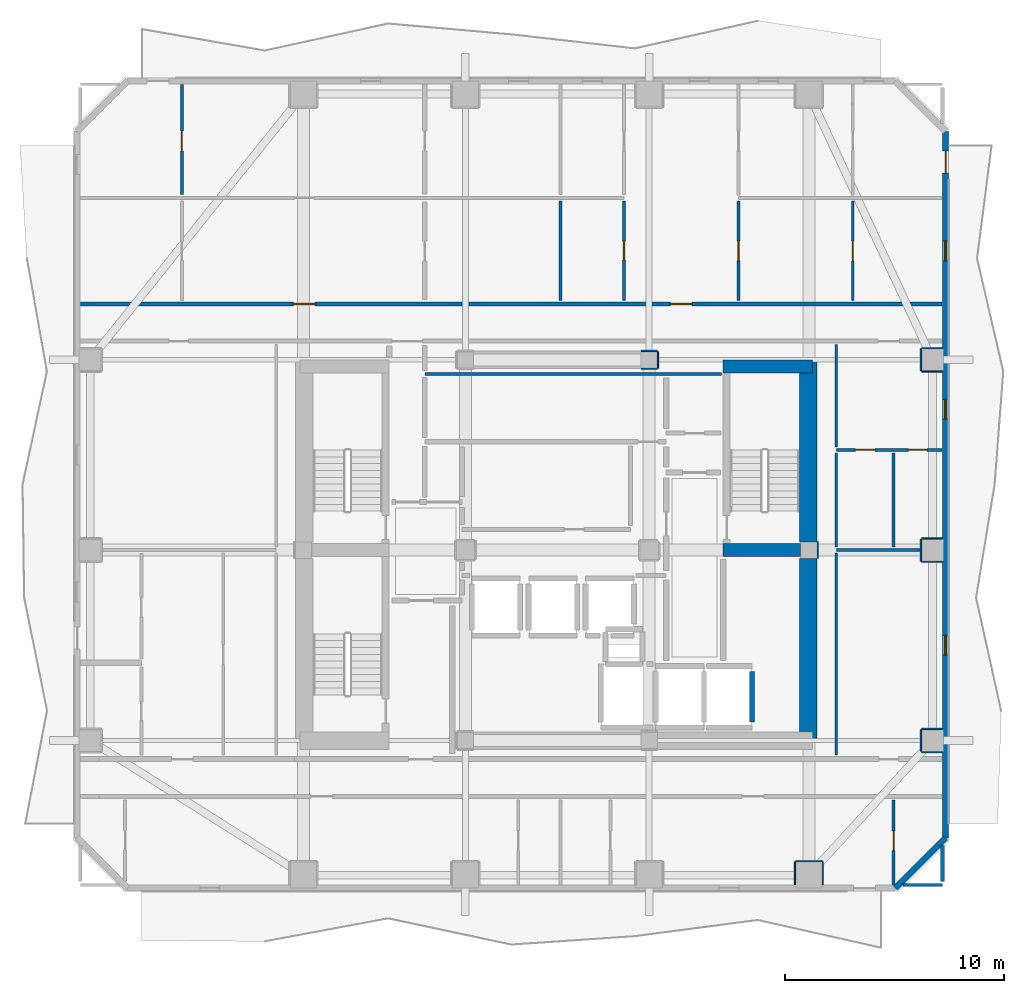
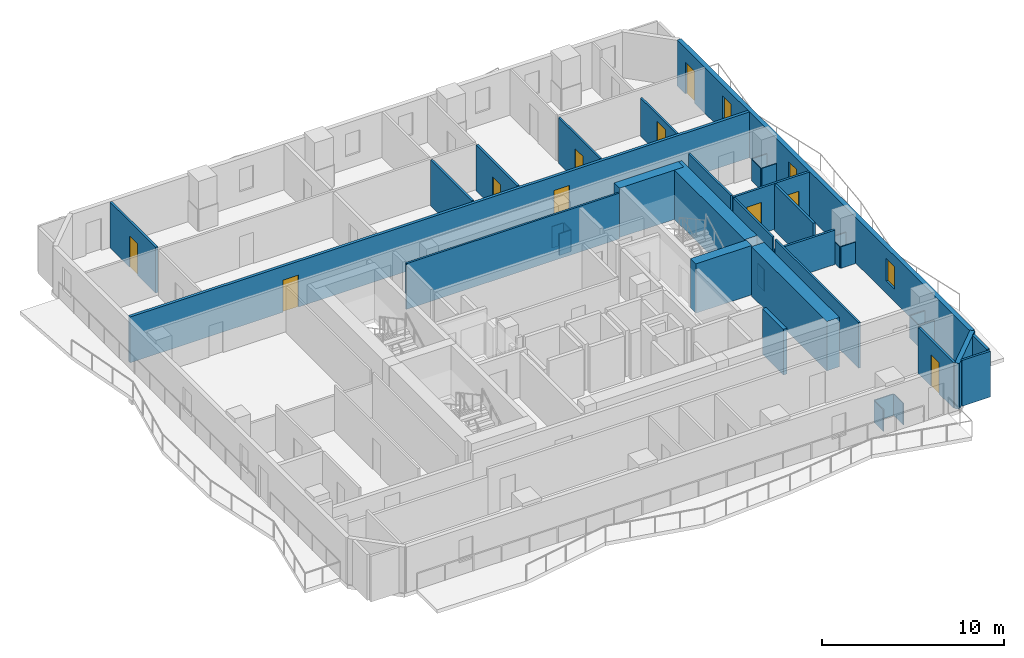
# One storey, part 5 of 11: 39 walls, 10 doors, 3 windows, 13 openings.
"""IFC4 building model written with IfcOpenShell, lengths in metres."""

import ifcopenshell
import ifcopenshell.guid

model = None  # the IFC model being written
_history = None  # IfcOwnerHistory: only IFC2X3 demands one
_inside = {}  # id of a spatial element -> (the spatial element, [elements in it])
_under = {}  # id of a project, library or spatial element -> (it, [spatial elements below it])
_declared = {}  # id of a project -> (the project, [libraries it declares])
_typed = {}  # id of a type object -> (the type object, [elements of that type])
_made_of = {}  # id of a material, layer set ... -> (it, [elements and type objects made of it])


def new_model(schema):
    """Start an empty IFC model of exactly this schema.

    Asked for "IFC4X3", IfcOpenShell would pick the latest addendum, in which some entities
    have other attributes; the version numbers below select the first issue.
    IFC2X3 requires an IfcOwnerHistory on every rooted entity: one is made here for all.
    """
    global model, _history
    if schema == "IFC4X3":
        model = ifcopenshell.file(schema_version=(4, 3, 0, 0))
    else:
        model = ifcopenshell.file(schema=schema)
    _inside.clear()
    _under.clear()
    _declared.clear()
    _typed.clear()
    _made_of.clear()
    _history = None
    if model.schema == "IFC2X3":
        org = make("IfcOrganization", Name="unknown")
        user = make(
            "IfcPersonAndOrganization",
            ThePerson=make("IfcPerson", FamilyName="unknown"),
            TheOrganization=org,
        )
        app = make(
            "IfcApplication",
            ApplicationDeveloper=org,
            Version="unknown",
            ApplicationFullName="unknown",
            ApplicationIdentifier="unknown",
        )
        _history = make(
            "IfcOwnerHistory",
            OwningUser=user,
            OwningApplication=app,
            ChangeAction="ADDED",
            CreationDate=0,
        )
    return model


def make(cls, **values):
    """One entity of the class cls with the attributes given. An attribute that is None is left unset."""
    return model.create_entity(
        cls, **{name: value for name, value in values.items() if value is not None}
    )


def rooted(cls, **values):
    """An entity with a GlobalId (a new one), such as an element, a storey or a relation."""
    return make(cls, GlobalId=ifcopenshell.guid.new(), OwnerHistory=_history, **values)


def si_unit(unit_type, name, prefix=None):
    """IfcSIUnit, for example si_unit("LENGTHUNIT", "METRE", prefix="MILLI")."""
    return make("IfcSIUnit", UnitType=unit_type, Prefix=prefix, Name=name)


def assignment(units):
    """IfcUnitAssignment: the units of a project."""
    return None if units is None else make("IfcUnitAssignment", Units=units)


def point(xyz):
    """IfcCartesianPoint."""
    return None if xyz is None else make("IfcCartesianPoint", Coordinates=xyz)


def direction(xyz):
    """IfcDirection."""
    return None if xyz is None else make("IfcDirection", DirectionRatios=xyz)


def frame(location, z_axis=None, x_axis=None):
    """IfcAxis2Placement3D, a coordinate frame: its origin and axes. An axis left out is left unset."""
    return make(
        "IfcAxis2Placement3D",
        Location=point(location),
        Axis=direction(z_axis),
        RefDirection=direction(x_axis),
    )


def frame_2d(location, x_axis=None):
    """IfcAxis2Placement2D, a coordinate frame in the plane: its origin and x axis."""
    return make(
        "IfcAxis2Placement2D", Location=point(location), RefDirection=direction(x_axis)
    )


def origin():
    """The frame at (0, 0, 0) with its axes left unset."""
    return frame((0.0, 0.0, 0.0))


def place(relative_to, where):
    """IfcLocalPlacement: puts the frame where relative to a parent placement (None: the world)."""
    return make(
        "IfcLocalPlacement", PlacementRelTo=relative_to, RelativePlacement=where
    )


def context(
    kind, dimensions, precision=None, world=None, true_north=None, identifier=None
):
    """IfcGeometricRepresentationContext, for example the 3D "Model" context."""
    return make(
        "IfcGeometricRepresentationContext",
        ContextIdentifier=identifier,
        ContextType=kind,
        CoordinateSpaceDimension=dimensions,
        Precision=precision,
        WorldCoordinateSystem=world,
        TrueNorth=true_north,
    )


def subcontext(parent, identifier, kind, view, scale=None):
    """IfcGeometricRepresentationSubContext, for example "Body" below "Model"."""
    return make(
        "IfcGeometricRepresentationSubContext",
        ContextIdentifier=identifier,
        ContextType=kind,
        ParentContext=parent,
        TargetScale=scale,
        TargetView=view,
    )


def project(units=None, contexts=None):
    """IfcProject with its units and contexts."""
    return rooted(
        "IfcProject",
        Name="project",
        RepresentationContexts=contexts,
        UnitsInContext=assignment(units),
    )


def spatial(cls, under=None, at=None, **own):
    """A site, building, storey or space (cls), placed at a placement, below another one or the project."""
    s = rooted(cls, ObjectPlacement=at, **own)
    if under is not None:
        _under.setdefault(under.id(), (under, []))[1].append(s)
    return s


def profile(cls, at=None, kind="AREA", **sizes):
    """A parametric profile (cls). Its sizes go by their IFC names, for example OverallWidth=200.0."""
    return make(cls, ProfileType=kind, Position=at, **sizes)


def rectangle(**sizes):
    """IfcRectangleProfileDef."""
    return profile("IfcRectangleProfileDef", **sizes)


def extrude(swept, where, along, depth):
    """IfcExtrudedAreaSolid: the profile swept, set in the frame where, extruded along a direction by depth."""
    return make(
        "IfcExtrudedAreaSolid",
        SweptArea=swept,
        Position=where,
        ExtrudedDirection=direction(along),
        Depth=depth,
    )


def shape(context_of_items, identifier, shape_type, items):
    """IfcShapeRepresentation: the items that make up one representation, for example the "Body"."""
    return make(
        "IfcShapeRepresentation",
        ContextOfItems=context_of_items,
        RepresentationIdentifier=identifier,
        RepresentationType=shape_type,
        Items=items,
    )


def material(Name=None, Category=None):
    """IfcMaterial."""
    return make("IfcMaterial", Name=Name, Category=Category)


def layer(
    of_material, thickness, ventilated=None, Name=None, Category=None, Priority=None
):
    """IfcMaterialLayer: one layer of a wall or slab, of a material (None: an air gap)."""
    return make(
        "IfcMaterialLayer",
        Material=of_material,
        LayerThickness=thickness,
        IsVentilated=ventilated,
        Name=Name,
        Category=Category,
        Priority=Priority,
    )


def layer_set(layers, Name=None):
    """IfcMaterialLayerSet."""
    return make("IfcMaterialLayerSet", MaterialLayers=layers, LayerSetName=Name)


def made_of(thing, what):
    """Note that an element or type object is made of a material, layer set ...; save() writes the relation."""
    if what is not None:
        _made_of.setdefault(what.id(), (what, []))[1].append(thing)
    return thing


def type_object(cls, material=None, **own):
    """A type object (cls), such as IfcWallType, which elements share."""
    return made_of(rooted(cls, **own), material)


def element(
    cls,
    number,
    at=None,
    inside=None,
    cuts=None,
    type_object=None,
    material=None,
    context=None,
    identifier="Body",
    shape_type=None,
    held_by="IfcProductDefinitionShape",
    body=None,
    shapes=None,
    **own,
):
    """One element of the class cls, such as IfcWall. Its Tag is "e" and its number.

    at: its placement. inside: the storey or other place that contains it. cuts: it is an
    opening in that element (IfcRelVoidsElement). A single representation is given by context,
    identifier, shape_type and body (its items); several are given by shapes. held_by: the class
    of the entity that holds the representations. save() writes the other relations.
    """
    e = rooted(cls, Tag="e%d" % number, ObjectPlacement=at, **own)
    if body is not None:
        shapes = [shape(context, identifier, shape_type, body)]
    if shapes is not None:
        e.Representation = make(held_by, Representations=shapes)
    if inside is not None:
        _inside.setdefault(inside.id(), (inside, []))[1].append(e)
    if cuts is not None:
        rooted(
            "IfcRelVoidsElement", RelatingBuildingElement=cuts, RelatedOpeningElement=e
        )
    if type_object is not None:
        _typed.setdefault(type_object.id(), (type_object, []))[1].append(e)
    return made_of(e, material)


def fill(opening, filler):
    """IfcRelFillsElement: the door or window that sits in an opening."""
    return rooted(
        "IfcRelFillsElement",
        RelatingOpeningElement=opening,
        RelatedBuildingElement=filler,
    )


def aggregate(whole, parts):
    """IfcRelAggregates: a whole, such as a stair, and the parts it consists of."""
    return rooted("IfcRelAggregates", RelatingObject=whole, RelatedObjects=parts)


def save(model, path):
    """Write the relations noted so far, then the file.

    IfcRelAggregates (storeys below a building ...), IfcRelContainedInSpatialStructure (elements
    in a storey), IfcRelDefinesByType, IfcRelAssociatesMaterial and IfcRelDeclares: one each for
    every whole, place, type object, material and project.
    """
    for whole, parts in _under.values():
        aggregate(whole, parts)
    for where, things in _inside.values():
        rooted(
            "IfcRelContainedInSpatialStructure",
            RelatedElements=things,
            RelatingStructure=where,
        )
    for kind, things in _typed.values():
        rooted("IfcRelDefinesByType", RelatedObjects=things, RelatingType=kind)
    for what, things in _made_of.values():
        rooted("IfcRelAssociatesMaterial", RelatedObjects=things, RelatingMaterial=what)
    for by, libraries in _declared.values():
        rooted("IfcRelDeclares", RelatingContext=by, RelatedDefinitions=libraries)
    model.write(path)


model = new_model("IFC4")

# Units and contexts
model_context = context("Model", 3, precision=1e-05, world=origin(), true_north=direction((0.0, 1.0)))
body_context = subcontext(model_context, "Body", "Model", "MODEL_VIEW")
ifc_project = project(units=[si_unit("LENGTHUNIT", "METRE"), si_unit("AREAUNIT", "SQUARE_METRE"), si_unit("VOLUMEUNIT", "CUBIC_METRE"), si_unit("PLANEANGLEUNIT", "RADIAN"), si_unit("MASSUNIT", "GRAM", prefix="KILO")], contexts=[model_context])

# Site, building, storey
site_placement = place(None, origin())
site = spatial("IfcSite", under=ifc_project, at=site_placement, CompositionType="ELEMENT")
building_placement = place(site_placement, origin())
building = spatial("IfcBuilding", under=site, at=building_placement, Name="Solanera Arch Residences", CompositionType="ELEMENT")
storey_placement = place(building_placement, frame((0.0, 0.0, 180.199951171875)))
storey = spatial("IfcBuildingStorey", under=building, at=storey_placement, Name="L52", CompositionType="ELEMENT", Elevation=180.199951171875)

# Walls
ifc_material_1 = material(Name="Fire-Rated Gypsum Stud Partition", Category="gypsum")
ifc_layer_1 = layer(ifc_material_1, 0.06005859375)
ifc_layer_set_1 = layer_set([ifc_layer_1], Name="Fire-Rated Gypsum Stud Partition")
wall_type_1 = type_object("IfcWallType", Name="Column Acoustic Furring Wall 60", PredefinedType="PARTITIONING", material=ifc_layer_set_1)
for number, where, z_axis, x_axis, name in (
    (1, (28.8330078125, 38.992919921875, 0.0), (0.0, 0.0, 1.0), (1.0, 0.0, 0.0), "L52 Column Furring 4S"),
    (2, (28.8330078125, 39.806884765625, 0.0), (0.0, 0.0, 1.0), (1.0, 0.0, 0.0), "L52 Column Furring 4N"),
):
    element("IfcWall", number, at=place(storey_placement, frame(where, z_axis=z_axis, x_axis=x_axis)), inside=storey, type_object=wall_type_1, Name=name, PredefinedType="PARTITIONING", context=body_context, shape_type="SweptSolid", body=[
        extrude(rectangle(XDim=0.741943359375, YDim=0.06005859375, at=frame_2d((0.37109375, 0.0))), origin(), (0.0, 0.0, 1.0), 1.449951171875),
    ])
for number, where, z_axis, x_axis, name in (
    (3, (29.60693359375, 39.02490234375, 0.0), (0.0, 0.0, 1.0), (0.0, 1.0, 0.0), "L52 Column Furring 4E"),
    (4, (36.906982421875, 30.324951171875, 0.0), (0.0, 0.0, 1.0), (0.0, 1.0, 0.0), "L52 Column Furring 6E"),
):
    element("IfcWall", number, at=place(storey_placement, frame(where, z_axis=z_axis, x_axis=x_axis)), inside=storey, type_object=wall_type_1, Name=name, PredefinedType="PARTITIONING", context=body_context, shape_type="SweptSolid", body=[
        extrude(rectangle(XDim=0.75, YDim=0.06005859375, at=frame_2d((0.375, 0.0))), origin(), (0.0, 0.0, 1.0), 1.449951171875),
    ])
wall_1_placement = place(storey_placement, frame((35.89990234375, 16.48193359375, 0.0), z_axis=(0.0, 0.0, 1.0), x_axis=(1.0, 0.0, 0.0)))
element("IfcWall", 5, at=wall_1_placement, inside=storey, type_object=wall_type_1, Name="L52 Column Furring 15N", PredefinedType="PARTITIONING", context=body_context, shape_type="SweptSolid", body=[
    extrude(rectangle(XDim=1.2001953125, YDim=0.06005859375, at=frame_2d((0.60009765625, 0.0))), origin(), (0.0, 0.0, 1.0), 1.449951171875),
])
for number, where, z_axis, x_axis, name in (
    (6, (35.867919921875, 15.409912109375, 0.0), (0.0, 0.0, 1.0), (0.0, 1.0, 0.0), "L52 Column Furring 15W"),
    (7, (37.132080078125, 15.409912109375, 0.0), (0.0, 0.0, 1.0), (0.0, 1.0, 0.0), "L52 Column Furring 15E"),
):
    element("IfcWall", number, at=place(storey_placement, frame(where, z_axis=z_axis, x_axis=x_axis)), inside=storey, type_object=wall_type_1, Name=name, PredefinedType="PARTITIONING", context=body_context, shape_type="SweptSolid", body=[
        extrude(rectangle(XDim=1.0400390625, YDim=0.06005859375, at=frame_2d((0.52001953125, 0.0))), origin(), (0.0, 0.0, 1.0), 1.449951171875),
    ])
for number, where, z_axis, x_axis, name in (
    (8, (41.64990234375, 21.468017578125, 0.0), (0.0, 0.0, 1.0), (1.0, 0.0, 0.0), "L52 Column Furring 18S"),
    (9, (41.64990234375, 22.531982421875, 0.0), (0.0, 0.0, 1.0), (1.0, 0.0, 0.0), "L52 Column Furring 18N"),
):
    element("IfcWall", number, at=place(storey_placement, frame(where, z_axis=z_axis, x_axis=x_axis)), inside=storey, type_object=wall_type_1, Name=name, PredefinedType="PARTITIONING", context=body_context, shape_type="SweptSolid", body=[
        extrude(rectangle(XDim=0.940185546875, YDim=0.06005859375, at=frame_2d((0.47021484375, 0.0))), origin(), (0.0, 0.0, 1.0), 1.449951171875),
    ])
wall_2_placement = place(storey_placement, frame((41.617919921875, 21.5, 0.0), z_axis=(0.0, 0.0, 1.0), x_axis=(0.0, 1.0, 0.0)))
element("IfcWall", 10, at=wall_2_placement, inside=storey, type_object=wall_type_1, Name="L52 Column Furring 18W", PredefinedType="PARTITIONING", context=body_context, shape_type="SweptSolid", body=[
    extrude(rectangle(XDim=1.0, YDim=0.06005859375, at=frame_2d((0.5, 0.0))), origin(), (0.0, 0.0, 1.0), 1.449951171875),
])
for number, where, z_axis, x_axis, name in (
    (11, (41.64990234375, 30.16796875, 0.0), (0.0, 0.0, 1.0), (1.0, 0.0, 0.0), "L52 Column Furring 20S"),
    (12, (41.64990234375, 31.23193359375, 0.0), (0.0, 0.0, 1.0), (1.0, 0.0, 0.0), "L52 Column Furring 20N"),
):
    element("IfcWall", number, at=place(storey_placement, frame(where, z_axis=z_axis, x_axis=x_axis)), inside=storey, type_object=wall_type_1, Name=name, PredefinedType="PARTITIONING", context=body_context, shape_type="SweptSolid", body=[
        extrude(rectangle(XDim=0.940185546875, YDim=0.06005859375, at=frame_2d((0.47021484375, 0.0))), origin(), (0.0, 0.0, 1.0), 1.449951171875),
    ])
wall_3_placement = place(storey_placement, frame((41.617919921875, 30.199951171875, 0.0), z_axis=(0.0, 0.0, 1.0), x_axis=(0.0, 1.0, 0.0)))
element("IfcWall", 13, at=wall_3_placement, inside=storey, type_object=wall_type_1, Name="L52 Column Furring 20W", PredefinedType="PARTITIONING", context=body_context, shape_type="SweptSolid", body=[
    extrude(rectangle(XDim=1.0, YDim=0.06005859375, at=frame_2d((0.5, 0.0))), origin(), (0.0, 0.0, 1.0), 1.449951171875),
])
for number, where, z_axis, x_axis, name in (
    (14, (41.64990234375, 38.867919921875, 0.0), (0.0, 0.0, 1.0), (1.0, 0.0, 0.0), "L52 Column Furring 22S"),
    (15, (41.64990234375, 39.931884765625, 0.0), (0.0, 0.0, 1.0), (1.0, 0.0, 0.0), "L52 Column Furring 22N"),
):
    element("IfcWall", number, at=place(storey_placement, frame(where, z_axis=z_axis, x_axis=x_axis)), inside=storey, type_object=wall_type_1, Name=name, PredefinedType="PARTITIONING", context=body_context, shape_type="SweptSolid", body=[
        extrude(rectangle(XDim=0.940185546875, YDim=0.06005859375, at=frame_2d((0.47021484375, 0.0))), origin(), (0.0, 0.0, 1.0), 1.449951171875),
    ])
wall_4_placement = place(storey_placement, frame((41.617919921875, 38.89990234375, 0.0), z_axis=(0.0, 0.0, 1.0), x_axis=(0.0, 1.0, 0.0)))
element("IfcWall", 16, at=wall_4_placement, inside=storey, type_object=wall_type_1, Name="L52 Column Furring 22W", PredefinedType="PARTITIONING", context=body_context, shape_type="SweptSolid", body=[
    extrude(rectangle(XDim=1.0, YDim=0.06005859375, at=frame_2d((0.5, 0.0))), origin(), (0.0, 0.0, 1.0), 1.449951171875),
])
ifc_material_2 = material(Name="Concrete C40/50 (f'c = 45 MPa)", Category="concrete")
ifc_layer_2 = layer(ifc_material_2, 0.60009765625)
ifc_layer_set_2 = layer_set([ifc_layer_2], Name="Concrete C40/50 (f'c = 45 MPa)")
wall_type_2 = type_object("IfcWallType", Name="Core Shear Wall CW-600", PredefinedType="SHEAR", material=ifc_layer_set_2)
wall_5_placement = place(storey_placement, frame((32.580078125, 39.10009765625, 0.0), z_axis=(0.0, 0.0, 1.0), x_axis=(1.0, 0.0, 0.0)))
element("IfcWall", 17, at=wall_5_placement, inside=storey, type_object=wall_type_2, Name="L52 North-East Core Shear Wall", PredefinedType="SHEAR", context=body_context, shape_type="SweptSolid", body=[
    extrude(rectangle(XDim=4.079833984375, YDim=0.60009765625, at=frame_2d((2.0400390625, 0.0))), origin(), (0.0, 0.0, 1.0), 3.320068359375),
])
wall_6_placement = place(storey_placement, frame((32.580078125, 30.699951171875, 0.0), z_axis=(0.0, 0.0, 1.0), x_axis=(1.0, 0.0, 0.0)))
element("IfcWall", 18, at=wall_6_placement, inside=storey, type_object=wall_type_2, Name="L52 East Stair Far-Landing Shear Wall", PredefinedType="SHEAR", context=body_context, shape_type="SweptSolid", body=[
    extrude(rectangle(XDim=3.5400390625, YDim=0.60009765625, at=frame_2d((1.77001953125, 0.0))), origin(), (0.0, 0.0, 1.0), 3.320068359375),
])
ifc_material_3 = material(Name="Concrete C40/50 (f'c = 45 MPa)", Category="concrete")
ifc_layer_3 = layer(ifc_material_3, 0.800048828125)
ifc_layer_set_3 = layer_set([ifc_layer_3], Name="Concrete C40/50 (f'c = 45 MPa)")
wall_type_3 = type_object("IfcWallType", Name="Core Shear Wall CW-800", PredefinedType="SHEAR", material=ifc_layer_set_3)
wall_7_placement = place(storey_placement, frame((36.4599609375, 22.0, 0.0), z_axis=(0.0, 0.0, 1.0), x_axis=(0.0, 1.0, 0.0)))
element("IfcWall", 19, at=wall_7_placement, inside=storey, type_object=wall_type_3, Name="L52 East Core South Shear Wall", PredefinedType="SHEAR", context=body_context, shape_type="SweptSolid", body=[
    extrude(rectangle(XDim=8.320068359375, YDim=0.800048828125, at=frame_2d((4.16015625, 0.0))), origin(), (0.0, 0.0, 1.0), 3.320068359375),
])
wall_8_placement = place(storey_placement, frame((36.4599609375, 31.080078125, 0.0), z_axis=(0.0, 0.0, 1.0), x_axis=(0.0, 1.0, 0.0)))
element("IfcWall", 20, at=wall_8_placement, inside=storey, type_object=wall_type_3, Name="L52 East Core North Shear Wall", PredefinedType="SHEAR", context=body_context, shape_type="SweptSolid", body=[
    extrude(rectangle(XDim=8.31982421875, YDim=0.800048828125, at=frame_2d((4.159912109375, 0.0))), origin(), (0.0, 0.0, 1.0), 3.320068359375),
])

# Wall, openings, doors
ifc_material_4 = material(Name="Autoclaved Aerated Concrete Blockwork", Category="masonry")
ifc_layer_4 = layer(ifc_material_4, 0.179931640625)
ifc_layer_set_4 = layer_set([ifc_layer_4], Name="Autoclaved Aerated Concrete Blockwork")
wall_type_4 = type_object("IfcWallType", Name="Corridor Fire Partition 180", PredefinedType="PARTITIONING", material=ifc_layer_set_4)
wall_9_placement = place(storey_placement, frame((3.20703125, 41.949951171875, 0.0), z_axis=(0.0, 0.0, 1.0), x_axis=(1.0, 0.0, 0.0)))
wall_9 = element("IfcWall", 21, at=wall_9_placement, inside=storey, type_object=wall_type_4, Name="L52 Interior Partition H13", PredefinedType="PARTITIONING", context=body_context, shape_type="SweptSolid", body=[
    extrude(rectangle(XDim=39.385986328125, YDim=0.179931640625, at=frame_2d((19.69287109375, 0.0))), origin(), (0.0, 0.0, 1.0), 3.080078125),
])
opening_1_placement = place(wall_9_placement, frame((9.72705078125, 0.0, 0.0)))
opening_1 = element("IfcOpeningElement", 22, at=opening_1_placement, cuts=wall_9, Name="Opening DI-01", PredefinedType="OPENING", context=body_context, shape_type="SweptSolid", body=[
    extrude(rectangle(XDim=1.0, YDim=2.14990234375, at=frame_2d((0.5, 1.074951171875))), frame((0.0, 0.10009765625, 0.0), z_axis=(0.0, -1.0, 0.0), x_axis=(1.0, 0.0, 0.0)), (0.0, 0.0, 1.0), 0.1999),
])
opening_2_placement = place(wall_9_placement, frame((26.9599609375, 0.0, 0.0)))
opening_2 = element("IfcOpeningElement", 23, at=opening_2_placement, cuts=wall_9, Name="Opening DI-01", PredefinedType="OPENING", context=body_context, shape_type="SweptSolid", body=[
    extrude(rectangle(XDim=1.0, YDim=2.14990234375, at=frame_2d((0.5, 1.074951171875))), frame((0.0, 0.10009765625, 0.0), z_axis=(0.0, -1.0, 0.0), x_axis=(1.0, 0.0, 0.0)), (0.0, 0.0, 1.0), 0.1999),
])
ifc_material_5 = material(Name="Fire-Rated Architectural Hardwood", Category="wood")
door_type_1 = type_object("IfcDoorType", Name="Unit Entrance Fire Door DI-01", OperationType="NOTDEFINED", PredefinedType="DOOR", material=ifc_material_5)
door_1_placement = place(opening_1_placement, origin())
door_1 = element("IfcDoor", 24, at=door_1_placement, inside=storey, type_object=door_type_1, Name="DR-L52-IN-020", OperationType="SINGLE_SWING_RIGHT", OverallHeight=2.14990234375, OverallWidth=1.0, PredefinedType="DOOR", context=body_context, shape_type="SweptSolid", body=[
    extrude(rectangle(XDim=1.0, YDim=2.14990234375, at=frame_2d((0.5, 1.074951171875))), frame((0.0, 0.02490234375, 0.0), z_axis=(0.0, -1.0, 0.0), x_axis=(1.0, 0.0, 0.0)), (0.0, 0.0, 1.0), 0.050048828125),
])
fill(opening_1, door_1)
door_2_placement = place(opening_2_placement, origin())
door_2 = element("IfcDoor", 25, at=door_2_placement, inside=storey, type_object=door_type_1, Name="DR-L52-IN-026", OperationType="SINGLE_SWING_RIGHT", OverallHeight=2.14990234375, OverallWidth=1.0, PredefinedType="DOOR", context=body_context, shape_type="SweptSolid", body=[
    extrude(rectangle(XDim=1.0, YDim=2.14990234375, at=frame_2d((0.5, 1.074951171875))), frame((0.0, 0.02490234375, 0.0), z_axis=(0.0, -1.0, 0.0), x_axis=(1.0, 0.0, 0.0)), (0.0, 0.0, 1.0), 0.050048828125),
])
fill(opening_2, door_2)

# Wall
wall_10_placement = place(storey_placement, frame((42.60009765625, 15.568115234375, 0.0), z_axis=(0.0, 0.0, 1.0), x_axis=(0.0, 1.0, 0.0)))
element("IfcWall", 26, at=wall_10_placement, inside=storey, type_object=wall_type_4, Name="L52 Interior Partition V10 1", PredefinedType="PARTITIONING", context=body_context, shape_type="SweptSolid", body=[
    extrude(rectangle(XDim=1.626953125, YDim=0.179931640625, at=frame_2d((0.8134765625, 0.0))), origin(), (0.0, 0.0, 1.0), 3.080078125),
])

# Wall, openings, door, windows
ifc_material_6 = material(Name="Precast Concrete C35/45", Category="concrete")
ifc_layer_5 = layer(ifc_material_6, 0.280029296875)
ifc_layer_set_5 = layer_set([ifc_layer_5], Name="Precast Concrete C35/45")
wall_type_5 = type_object("IfcWallType", Name="Exterior Wall Precast Masonry-Frame 280", PredefinedType="STANDARD", material=ifc_layer_set_5)
wall_11_placement = place(storey_placement, frame((42.7451171875, 49.844970703125, 0.0), z_axis=(0.0, 0.0, 1.0), x_axis=(0.0, -1.0, 0.0)))
wall_11 = element("IfcWall", 27, at=wall_11_placement, inside=storey, type_object=wall_type_5, Name="L52 Tower Exterior Precast Masonry-Frame Wall E", PredefinedType="STANDARD", context=body_context, shape_type="SweptSolid", body=[
    extrude(rectangle(XDim=32.2900390625, YDim=0.280029296875, at=frame_2d((16.14501953125, 0.0))), origin(), (0.0, 0.0, 1.0), 3.080078125),
])
opening_3_placement = place(wall_11_placement, frame((0.904052734375, 0.0, 0.0)))
opening_3 = element("IfcOpeningElement", 28, at=opening_3_placement, cuts=wall_11, Name="Opening DB-01", PredefinedType="OPENING", context=body_context, shape_type="SweptSolid", body=[
    extrude(rectangle(XDim=1.0, YDim=2.14990234375, at=frame_2d((0.5, 1.074951171875))), frame((0.0, 0.14990234375, 0.0), z_axis=(0.0, -1.0, 0.0), x_axis=(1.0, 0.0, 0.0)), (0.0, 0.0, 1.0), 0.3),
])
opening_4_placement = place(wall_11_placement, frame((5.02001953125, 0.0, 0.85009765625)))
opening_4 = element("IfcOpeningElement", 29, at=opening_4_placement, cuts=wall_11, Name="Opening W-06", PredefinedType="OPENING", context=body_context, shape_type="SweptSolid", body=[
    extrude(rectangle(XDim=0.89990234375, YDim=1.5, at=frame_2d((0.449951171875, 0.75))), frame((0.0, 0.14990234375, 0.0), z_axis=(0.0, -1.0, 0.0), x_axis=(1.0, 0.0, 0.0)), (0.0, 0.0, 1.0), 0.3),
])
opening_5_placement = place(wall_11_placement, frame((23.044921875, 0.0, 0.85009765625)))
opening_5 = element("IfcOpeningElement", 30, at=opening_5_placement, cuts=wall_11, Name="Opening W-06", PredefinedType="OPENING", context=body_context, shape_type="SweptSolid", body=[
    extrude(rectangle(XDim=0.89990234375, YDim=1.5, at=frame_2d((0.449951171875, 0.75))), frame((0.0, 0.14990234375, 0.0), z_axis=(0.0, -1.0, 0.0), x_axis=(1.0, 0.0, 0.0)), (0.0, 0.0, 1.0), 0.3),
])
opening_6_placement = place(wall_11_placement, frame((12.2529296875, 0.0, 0.85009765625)))
opening_6 = element("IfcOpeningElement", 31, at=opening_6_placement, cuts=wall_11, Name="Opening W-06", PredefinedType="OPENING", context=body_context, shape_type="SweptSolid", body=[
    extrude(rectangle(XDim=0.89990234375, YDim=1.5, at=frame_2d((0.449951171875, 0.75))), frame((0.0, 0.14990234375, 0.0), z_axis=(0.0, -1.0, 0.0), x_axis=(1.0, 0.0, 0.0)), (0.0, 0.0, 1.0), 0.3),
])
ifc_material_7 = material(Name="Anodised Aluminium Alloy 6063-T6", Category="aluminium")
door_type_2 = type_object("IfcDoorType", Name="Glazed Balcony Swing Door DB-01", OperationType="NOTDEFINED", PredefinedType="DOOR", material=ifc_material_7)
door_3_placement = place(opening_3_placement, origin())
door_3 = element("IfcDoor", 32, at=door_3_placement, inside=storey, type_object=door_type_2, Name="DR-L52-OUT-03", OperationType="SINGLE_SWING_RIGHT", OverallHeight=2.14990234375, OverallWidth=1.0, PredefinedType="DOOR", context=body_context, shape_type="SweptSolid", body=[
    extrude(rectangle(XDim=1.0, YDim=2.14990234375, at=frame_2d((0.5, 1.074951171875))), frame((0.0, 0.02490234375, 0.0), z_axis=(0.0, -1.0, 0.0), x_axis=(1.0, 0.0, 0.0)), (0.0, 0.0, 1.0), 0.050048828125),
])
fill(opening_3, door_3)
ifc_material_8 = material(Name="Double Glazed Low-E Laminated Glass", Category="glass")
window_type = type_object("IfcWindowType", Name="Punched Window W-06", PartitioningType="SINGLE_PANEL", PredefinedType="WINDOW", material=ifc_material_8)
window_1_placement = place(opening_4_placement, origin())
window_1 = element("IfcWindow", 33, at=window_1_placement, inside=storey, type_object=window_type, Name="L52 5204-STD Punched Window", OverallHeight=1.5, OverallWidth=0.89990234375, PartitioningType="SINGLE_PANEL", PredefinedType="WINDOW", context=body_context, shape_type="SweptSolid", body=[
    extrude(rectangle(XDim=0.89990234375, YDim=1.5, at=frame_2d((0.449951171875, 0.75))), frame((0.0, 0.030029296875, 0.0), z_axis=(0.0, -1.0, 0.0), x_axis=(1.0, 0.0, 0.0)), (0.0, 0.0, 1.0), 0.06005859375),
])
fill(opening_4, window_1)
window_2_placement = place(opening_5_placement, origin())
window_2 = element("IfcWindow", 34, at=window_2_placement, inside=storey, type_object=window_type, Name="L52 AMN-STDE Punched Window", OverallHeight=1.5, OverallWidth=0.89990234375, PartitioningType="SINGLE_PANEL", PredefinedType="WINDOW", context=body_context, shape_type="SweptSolid", body=[
    extrude(rectangle(XDim=0.89990234375, YDim=1.5, at=frame_2d((0.449951171875, 0.75))), frame((0.0, 0.030029296875, 0.0), z_axis=(0.0, -1.0, 0.0), x_axis=(1.0, 0.0, 0.0)), (0.0, 0.0, 1.0), 0.06005859375),
])
fill(opening_5, window_2)
window_3_placement = place(opening_6_placement, origin())
window_3 = element("IfcWindow", 35, at=window_3_placement, inside=storey, type_object=window_type, Name="L52 5206-LIV Punched Window", OverallHeight=1.5, OverallWidth=0.89990234375, PartitioningType="SINGLE_PANEL", PredefinedType="WINDOW", context=body_context, shape_type="SweptSolid", body=[
    extrude(rectangle(XDim=0.89990234375, YDim=1.5, at=frame_2d((0.449951171875, 0.75))), frame((0.0, 0.030029296875, 0.0), z_axis=(0.0, -1.0, 0.0), x_axis=(1.0, 0.0, 0.0)), (0.0, 0.0, 1.0), 0.06005859375),
])
fill(opening_6, window_3)

# Walls
wall_12_placement = place(storey_placement, frame((42.7451171875, 17.554931640625, 0.0), z_axis=(0.0, 0.0, 1.0), x_axis=(-0.707106781187, -0.707106781187, 0.0)))
element("IfcWall", 36, at=wall_12_placement, inside=storey, type_object=wall_type_5, Name="L52 Tower Exterior Precast Masonry-Frame Wall CH5", PredefinedType="STANDARD", context=body_context, shape_type="SweptSolid", body=[
    extrude(rectangle(XDim=3.252685546875, YDim=0.280029296875, at=frame_2d((1.62646484375, 0.0))), origin(), (0.0, 0.0, 1.0), 3.080078125),
])
ifc_material_9 = material(Name="Autoclaved Aerated Concrete Blockwork", Category="masonry")
ifc_layer_6 = layer(ifc_material_9, 0.239990234375)
ifc_layer_set_6 = layer_set([ifc_layer_6], Name="Autoclaved Aerated Concrete Blockwork")
wall_type_6 = type_object("IfcWallType", Name="Shaft Wall Fire-Rated 240", PredefinedType="PARTITIONING", material=ifc_layer_set_6)
wall_13_placement = place(storey_placement, frame((33.89990234375, 22.847900390625, 0.0), z_axis=(0.0, 0.0, 1.0), x_axis=(0.0, 1.0, 0.0)))
element("IfcWall", 37, at=wall_13_placement, inside=storey, type_object=wall_type_6, Name="L52 Lift FFL-2 Hoistway Wall E", PredefinedType="PARTITIONING", context=body_context, shape_type="SweptSolid", body=[
    extrude(rectangle(XDim=2.30419921875, YDim=0.239990234375, at=frame_2d((1.152099609375, 0.0))), origin(), (0.0, 0.0, 1.0), 3.080078125),
])
ifc_material_10 = material(Name="Fire-Rated Gypsum Stud Partition", Category="gypsum")
ifc_layer_7 = layer(ifc_material_10, 0.1201171875)
ifc_layer_set_7 = layer_set([ifc_layer_7], Name="Fire-Rated Gypsum Stud Partition")
wall_type_7 = type_object("IfcWallType", Name="Unit Drywall Partition 120", PredefinedType="PARTITIONING", material=ifc_layer_set_7)
wall_14_placement = place(storey_placement, frame((18.949951171875, 38.75, 0.0), z_axis=(0.0, 0.0, 1.0), x_axis=(1.0, 0.0, 0.0)))
element("IfcWall", 38, at=wall_14_placement, inside=storey, type_object=wall_type_7, Name="L52 Interior Partition H20", PredefinedType="PARTITIONING", context=body_context, shape_type="SweptSolid", body=[
    extrude(rectangle(XDim=13.56005859375, YDim=0.1201171875, at=frame_2d((6.780029296875, 0.0))), origin(), (0.0, 0.0, 1.0), 3.080078125),
])

# Wall, opening, door
wall_15_placement = place(storey_placement, frame((33.283935546875, 42.10791015625, 0.0), z_axis=(0.0, 0.0, 1.0), x_axis=(0.0, 1.0, 0.0)))
wall_15 = element("IfcWall", 39, at=wall_15_placement, inside=storey, type_object=wall_type_7, Name="L52 Interior Partition V23 1", PredefinedType="PARTITIONING", context=body_context, shape_type="SweptSolid", body=[
    extrude(rectangle(XDim=4.55419921875, YDim=0.1201171875, at=frame_2d((2.277099609375, 0.0))), origin(), (0.0, 0.0, 1.0), 3.080078125),
])
opening_7_placement = place(wall_15_placement, frame((1.830078125, 0.0, 0.0)))
opening_7 = element("IfcOpeningElement", 40, at=opening_7_placement, cuts=wall_15, Name="Opening DI-02", PredefinedType="OPENING", context=body_context, shape_type="SweptSolid", body=[
    extrude(rectangle(XDim=0.89990234375, YDim=2.10009765625, at=frame_2d((0.449951171875, 1.050048828125))), frame((0.0, 0.070068359375, 0.0), z_axis=(0.0, -1.0, 0.0), x_axis=(1.0, 0.0, 0.0)), (0.0, 0.0, 1.0), 0.1401),
])
ifc_material_11 = material(Name="Fire-Rated Architectural Hardwood", Category="wood")
door_type_3 = type_object("IfcDoorType", Name="Suite Room Swing Door DI-02", OperationType="NOTDEFINED", PredefinedType="DOOR", material=ifc_material_11)
door_4_placement = place(opening_7_placement, origin())
door_4 = element("IfcDoor", 41, at=door_4_placement, inside=storey, type_object=door_type_3, Name="DR-L52-IN-029", OperationType="SINGLE_SWING_LEFT", OverallHeight=2.10009765625, OverallWidth=0.89990234375, PredefinedType="DOOR", context=body_context, shape_type="SweptSolid", body=[
    extrude(rectangle(XDim=0.89990234375, YDim=2.10009765625, at=frame_2d((0.449951171875, 1.050048828125))), frame((0.0, 0.02490234375, 0.0), z_axis=(0.0, -1.0, 0.0), x_axis=(1.0, 0.0, 0.0)), (0.0, 0.0, 1.0), 0.050048828125),
])
fill(opening_7, door_4)

# Walls
wall_16_placement = place(storey_placement, frame((37.75, 21.337890625, 0.0), z_axis=(0.0, 0.0, 1.0), x_axis=(0.0, 1.0, 0.0)))
element("IfcWall", 42, at=wall_16_placement, inside=storey, type_object=wall_type_7, Name="L52 Interior Partition V24 1", PredefinedType="PARTITIONING", context=body_context, shape_type="SweptSolid", body=[
    extrude(rectangle(XDim=9.22412109375, YDim=0.1201171875, at=frame_2d((4.612060546875, 0.0))), origin(), (0.0, 0.0, 1.0), 3.080078125),
])
wall_17_placement = place(storey_placement, frame((37.75, 30.837890625, 0.0), z_axis=(0.0, 0.0, 1.0), x_axis=(0.0, 1.0, 0.0)))
element("IfcWall", 43, at=wall_17_placement, inside=storey, type_object=wall_type_7, Name="L52 Interior Partition V24 2", PredefinedType="PARTITIONING", context=body_context, shape_type="SweptSolid", body=[
    extrude(rectangle(XDim=4.30810546875, YDim=0.1201171875, at=frame_2d((2.154052734375, 0.0))), origin(), (0.0, 0.0, 1.0), 3.080078125),
])
wall_18_placement = place(storey_placement, frame((37.75, 35.422119140625, 0.0), z_axis=(0.0, 0.0, 1.0), x_axis=(0.0, 1.0, 0.0)))
element("IfcWall", 44, at=wall_18_placement, inside=storey, type_object=wall_type_7, Name="L52 Interior Partition V24 3", PredefinedType="PARTITIONING", context=body_context, shape_type="SweptSolid", body=[
    extrude(rectangle(XDim=4.669921875, YDim=0.1201171875, at=frame_2d((2.3349609375, 0.0))), origin(), (0.0, 0.0, 1.0), 3.080078125),
])

# Wall, opening, door
wall_19_placement = place(storey_placement, frame((38.5009765625, 42.10791015625, 0.0), z_axis=(0.0, 0.0, 1.0), x_axis=(0.0, 1.0, 0.0)))
wall_19 = element("IfcWall", 45, at=wall_19_placement, inside=storey, type_object=wall_type_7, Name="L52 Interior Partition V25 1", PredefinedType="PARTITIONING", context=body_context, shape_type="SweptSolid", body=[
    extrude(rectangle(XDim=4.55419921875, YDim=0.1201171875, at=frame_2d((2.277099609375, 0.0))), origin(), (0.0, 0.0, 1.0), 2.56494140625),
])
opening_8_placement = place(wall_19_placement, frame((1.81689453125, 0.0, 0.0)))
opening_8 = element("IfcOpeningElement", 46, at=opening_8_placement, cuts=wall_19, Name="Opening DI-02", PredefinedType="OPENING", context=body_context, shape_type="SweptSolid", body=[
    extrude(rectangle(XDim=0.89990234375, YDim=2.10009765625, at=frame_2d((0.449951171875, 1.050048828125))), frame((0.0, 0.070068359375, 0.0), z_axis=(0.0, -1.0, 0.0), x_axis=(1.0, 0.0, 0.0)), (0.0, 0.0, 1.0), 0.1401),
])
door_5_placement = place(opening_8_placement, origin())
door_5 = element("IfcDoor", 47, at=door_5_placement, inside=storey, type_object=door_type_3, Name="DR-L52-IN-030", OperationType="SINGLE_SWING_RIGHT", OverallHeight=2.10009765625, OverallWidth=0.89990234375, PredefinedType="DOOR", context=body_context, shape_type="SweptSolid", body=[
    extrude(rectangle(XDim=0.89990234375, YDim=2.10009765625, at=frame_2d((0.449951171875, 1.050048828125))), frame((0.0, 0.02490234375, 0.0), z_axis=(0.0, -1.0, 0.0), x_axis=(1.0, 0.0, 0.0)), (0.0, 0.0, 1.0), 0.050048828125),
])
fill(opening_8, door_5)

# Walls
ifc_material_12 = material(Name="Autoclaved Aerated Concrete Blockwork", Category="masonry")
ifc_layer_8 = layer(ifc_material_12, 0.139892578125)
ifc_layer_set_8 = layer_set([ifc_layer_8], Name="Autoclaved Aerated Concrete Blockwork")
wall_type_8 = type_object("IfcWallType", Name="Wet-Room Partition 140", PredefinedType="PARTITIONING", material=ifc_layer_set_8)
wall_20_placement = place(storey_placement, frame((40.804931640625, 15.39990234375, 0.0), z_axis=(0.0, 0.0, 1.0), x_axis=(1.0, 0.0, 0.0)))
element("IfcWall", 48, at=wall_20_placement, inside=storey, type_object=wall_type_8, Name="L52 Interior Partition H14 2", PredefinedType="PARTITIONING", context=body_context, shape_type="SweptSolid", body=[
    extrude(rectangle(XDim=1.795166015625, YDim=0.139892578125, at=frame_2d((0.8974609375, 0.0))), origin(), (0.0, 0.0, 1.0), 3.080078125),
])
wall_21_placement = place(storey_placement, frame((37.75, 30.699951171875, 0.0), z_axis=(0.0, 0.0, 1.0), x_axis=(1.0, 0.0, 0.0)))
element("IfcWall", 49, at=wall_21_placement, inside=storey, type_object=wall_type_8, Name="L52 Interior Partition H16", PredefinedType="PARTITIONING", context=body_context, shape_type="SweptSolid", body=[
    extrude(rectangle(XDim=3.818115234375, YDim=0.139892578125, at=frame_2d((1.9091796875, 0.0))), origin(), (0.0, 0.0, 1.0), 2.31494140625),
])

# Wall, openings, doors
wall_22_placement = place(storey_placement, frame((37.75, 35.283935546875, 0.0), z_axis=(0.0, 0.0, 1.0), x_axis=(1.0, 0.0, 0.0)))
wall_22 = element("IfcWall", 50, at=wall_22_placement, inside=storey, type_object=wall_type_8, Name="L52 Interior Partition H17", PredefinedType="PARTITIONING", context=body_context, shape_type="SweptSolid", body=[
    extrude(rectangle(XDim=4.843017578125, YDim=0.139892578125, at=frame_2d((2.42138671875, 0.0))), origin(), (0.0, 0.0, 1.0), 3.080078125),
])
opening_9_placement = place(wall_22_placement, frame((0.8720703125, 0.0, 0.0)))
opening_9 = element("IfcOpeningElement", 51, at=opening_9_placement, cuts=wall_22, Name="Opening DI-02", PredefinedType="OPENING", context=body_context, shape_type="SweptSolid", body=[
    extrude(rectangle(XDim=0.89990234375, YDim=2.10009765625, at=frame_2d((0.449951171875, 1.050048828125))), frame((0.0, 0.079833984375, 0.0), z_axis=(0.0, -1.0, 0.0), x_axis=(1.0, 0.0, 0.0)), (0.0, 0.0, 1.0), 0.1599),
])
opening_10_placement = place(wall_22_placement, frame((3.2919921875, 0.0, 0.0)))
opening_10 = element("IfcOpeningElement", 52, at=opening_10_placement, cuts=wall_22, Name="Opening DI-05", PredefinedType="OPENING", context=body_context, shape_type="SweptSolid", body=[
    extrude(rectangle(XDim=0.860107421875, YDim=2.02001953125, at=frame_2d((0.43017578125, 1.010009765625))), frame((0.0, 0.079833984375, 0.0), z_axis=(0.0, -1.0, 0.0), x_axis=(1.0, 0.0, 0.0)), (0.0, 0.0, 1.0), 0.1599),
])
ifc_material_13 = material(Name="Fire-Rated Architectural Hardwood", Category="wood")
door_type_4 = type_object("IfcDoorType", Name="Bathroom Swing Door DI-05", OperationType="NOTDEFINED", PredefinedType="DOOR", material=ifc_material_13)
door_6_placement = place(opening_10_placement, origin())
door_6 = element("IfcDoor", 53, at=door_6_placement, inside=storey, type_object=door_type_4, Name="DR-L52-IN-041", OperationType="SINGLE_SWING_LEFT", OverallHeight=2.02001953125, OverallWidth=0.860107421875, PredefinedType="DOOR", context=body_context, shape_type="SweptSolid", body=[
    extrude(rectangle(XDim=0.860107421875, YDim=2.02001953125, at=frame_2d((0.43017578125, 1.010009765625))), frame((0.0, 0.02490234375, 0.0), z_axis=(0.0, -1.0, 0.0), x_axis=(1.0, 0.0, 0.0)), (0.0, 0.0, 1.0), 0.050048828125),
])
fill(opening_10, door_6)
door_7_placement = place(opening_9_placement, origin())
door_7 = element("IfcDoor", 54, at=door_7_placement, inside=storey, type_object=door_type_3, Name="DR-L52-IN-040", OperationType="SINGLE_SWING_RIGHT", OverallHeight=2.10009765625, OverallWidth=0.89990234375, PredefinedType="DOOR", context=body_context, shape_type="SweptSolid", body=[
    extrude(rectangle(XDim=0.89990234375, YDim=2.10009765625, at=frame_2d((0.449951171875, 1.050048828125))), frame((0.0, 0.02490234375, 0.0), z_axis=(0.0, -1.0, 0.0), x_axis=(1.0, 0.0, 0.0)), (0.0, 0.0, 1.0), 0.050048828125),
])
fill(opening_9, door_7)

# Wall, opening, door
wall_23_placement = place(storey_placement, frame((7.843994140625, 46.947998046875, 0.0), z_axis=(0.0, 0.0, 1.0), x_axis=(0.0, 1.0, 0.0)))
wall_23 = element("IfcWall", 55, at=wall_23_placement, inside=storey, type_object=wall_type_8, Name="L52 Interior Partition V13 2", PredefinedType="PARTITIONING", context=body_context, shape_type="SweptSolid", body=[
    extrude(rectangle(XDim=5.044921875, YDim=0.139892578125, at=frame_2d((2.5224609375, 0.0))), origin(), (0.0, 0.0, 1.0), 3.080078125),
])
opening_11_placement = place(wall_23_placement, frame((2.001953125, 0.0, 0.0)))
opening_11 = element("IfcOpeningElement", 56, at=opening_11_placement, cuts=wall_23, Name="Opening DI-03", PredefinedType="OPENING", context=body_context, shape_type="SweptSolid", body=[
    extrude(rectangle(XDim=0.89990234375, YDim=2.10009765625, at=frame_2d((0.449951171875, 1.050048828125))), frame((0.0, 0.079833984375, 0.0), z_axis=(0.0, -1.0, 0.0), x_axis=(1.0, 0.0, 0.0)), (0.0, 0.0, 1.0), 0.1599),
])
ifc_material_14 = material(Name="Fire-Rated Architectural Hardwood", Category="wood")
door_type_5 = type_object("IfcDoorType", Name="Bedroom Swing Door DI-03", OperationType="NOTDEFINED", PredefinedType="DOOR", material=ifc_material_14)
door_8_placement = place(opening_11_placement, origin())
door_8 = element("IfcDoor", 57, at=door_8_placement, inside=storey, type_object=door_type_5, Name="DR-L52-IN-023", OperationType="SINGLE_SWING_LEFT", OverallHeight=2.10009765625, OverallWidth=0.89990234375, PredefinedType="DOOR", context=body_context, shape_type="SweptSolid", body=[
    extrude(rectangle(XDim=0.89990234375, YDim=2.10009765625, at=frame_2d((0.449951171875, 1.050048828125))), frame((0.0, 0.02490234375, 0.0), z_axis=(0.0, -1.0, 0.0), x_axis=(1.0, 0.0, 0.0)), (0.0, 0.0, 1.0), 0.050048828125),
])
fill(opening_11, door_8)

# Wall
wall_24_placement = place(storey_placement, frame((25.154052734375, 42.117919921875, 0.0), z_axis=(0.0, 0.0, 1.0), x_axis=(0.0, 1.0, 0.0)))
element("IfcWall", 58, at=wall_24_placement, inside=storey, type_object=wall_type_8, Name="L52 Interior Partition V15 1", PredefinedType="PARTITIONING", context=body_context, shape_type="SweptSolid", body=[
    extrude(rectangle(XDim=4.5341796875, YDim=0.139892578125, at=frame_2d((2.26708984375, 0.0))), origin(), (0.0, 0.0, 1.0), 3.080078125),
])

# Wall, opening, door
wall_25_placement = place(storey_placement, frame((28.050048828125, 42.117919921875, 0.0), z_axis=(0.0, 0.0, 1.0), x_axis=(0.0, 1.0, 0.0)))
wall_25 = element("IfcWall", 59, at=wall_25_placement, inside=storey, type_object=wall_type_8, Name="L52 Interior Partition V17 1", PredefinedType="PARTITIONING", context=body_context, shape_type="SweptSolid", body=[
    extrude(rectangle(XDim=4.5341796875, YDim=0.139892578125, at=frame_2d((2.26708984375, 0.0))), origin(), (0.0, 0.0, 1.0), 3.080078125),
])
opening_12_placement = place(wall_25_placement, frame((1.840087890625, 0.0, 0.0)))
opening_12 = element("IfcOpeningElement", 60, at=opening_12_placement, cuts=wall_25, Name="Opening DI-05", PredefinedType="OPENING", context=body_context, shape_type="SweptSolid", body=[
    extrude(rectangle(XDim=0.860107421875, YDim=2.02001953125, at=frame_2d((0.43017578125, 1.010009765625))), frame((0.0, 0.079833984375, 0.0), z_axis=(0.0, -1.0, 0.0), x_axis=(1.0, 0.0, 0.0)), (0.0, 0.0, 1.0), 0.1599),
])
door_9_placement = place(opening_12_placement, origin())
door_9 = element("IfcDoor", 61, at=door_9_placement, inside=storey, type_object=door_type_4, Name="DR-L52-IN-027", OperationType="SINGLE_SWING_LEFT", OverallHeight=2.02001953125, OverallWidth=0.860107421875, PredefinedType="DOOR", context=body_context, shape_type="SweptSolid", body=[
    extrude(rectangle(XDim=0.860107421875, YDim=2.02001953125, at=frame_2d((0.43017578125, 1.010009765625))), frame((0.0, 0.02490234375, 0.0), z_axis=(0.0, -1.0, 0.0), x_axis=(1.0, 0.0, 0.0)), (0.0, 0.0, 1.0), 0.050048828125),
])
fill(opening_12, door_9)

wall_26_placement = place(storey_placement, frame((40.368896484375, 15.406982421875, 0.0), z_axis=(0.0, 0.0, 1.0), x_axis=(0.0, 1.0, 0.0)))
wall_26 = element("IfcWall", 62, at=wall_26_placement, inside=storey, type_object=wall_type_8, Name="L52 Interior Partition V18", PredefinedType="PARTITIONING", context=body_context, shape_type="SweptSolid", body=[
    extrude(rectangle(XDim=3.875, YDim=0.139892578125, at=frame_2d((1.9375, 0.0))), origin(), (0.0, 0.0, 1.0), 3.080078125),
])
opening_13_placement = place(wall_26_placement, frame((1.568115234375, 0.0, 0.0)))
opening_13 = element("IfcOpeningElement", 63, at=opening_13_placement, cuts=wall_26, Name="Opening DI-02", PredefinedType="OPENING", context=body_context, shape_type="SweptSolid", body=[
    extrude(rectangle(XDim=0.89990234375, YDim=2.10009765625, at=frame_2d((0.449951171875, 1.050048828125))), frame((0.0, 0.079833984375, 0.0), z_axis=(0.0, -1.0, 0.0), x_axis=(1.0, 0.0, 0.0)), (0.0, 0.0, 1.0), 0.1599),
])
door_10_placement = place(opening_13_placement, origin())
door_10 = element("IfcDoor", 64, at=door_10_placement, inside=storey, type_object=door_type_3, Name="DR-L52-IN-019", OperationType="SINGLE_SWING_LEFT", OverallHeight=2.10009765625, OverallWidth=0.89990234375, PredefinedType="DOOR", context=body_context, shape_type="SweptSolid", body=[
    extrude(rectangle(XDim=0.89990234375, YDim=2.10009765625, at=frame_2d((0.449951171875, 1.050048828125))), frame((0.0, 0.02490234375, 0.0), z_axis=(0.0, -1.0, 0.0), x_axis=(1.0, 0.0, 0.0)), (0.0, 0.0, 1.0), 0.050048828125),
])
fill(opening_13, door_10)

# Wall
wall_27_placement = place(storey_placement, frame((40.368896484375, 30.847900390625, 0.0), z_axis=(0.0, 0.0, 1.0), x_axis=(0.0, 1.0, 0.0)))
element("IfcWall", 65, at=wall_27_placement, inside=storey, type_object=wall_type_8, Name="L52 Interior Partition V19", PredefinedType="PARTITIONING", context=body_context, shape_type="SweptSolid", body=[
    extrude(rectangle(XDim=4.2880859375, YDim=0.139892578125, at=frame_2d((2.14404296875, 0.0))), origin(), (0.0, 0.0, 1.0), 3.080078125),
])

save(model, "model.ifc")
